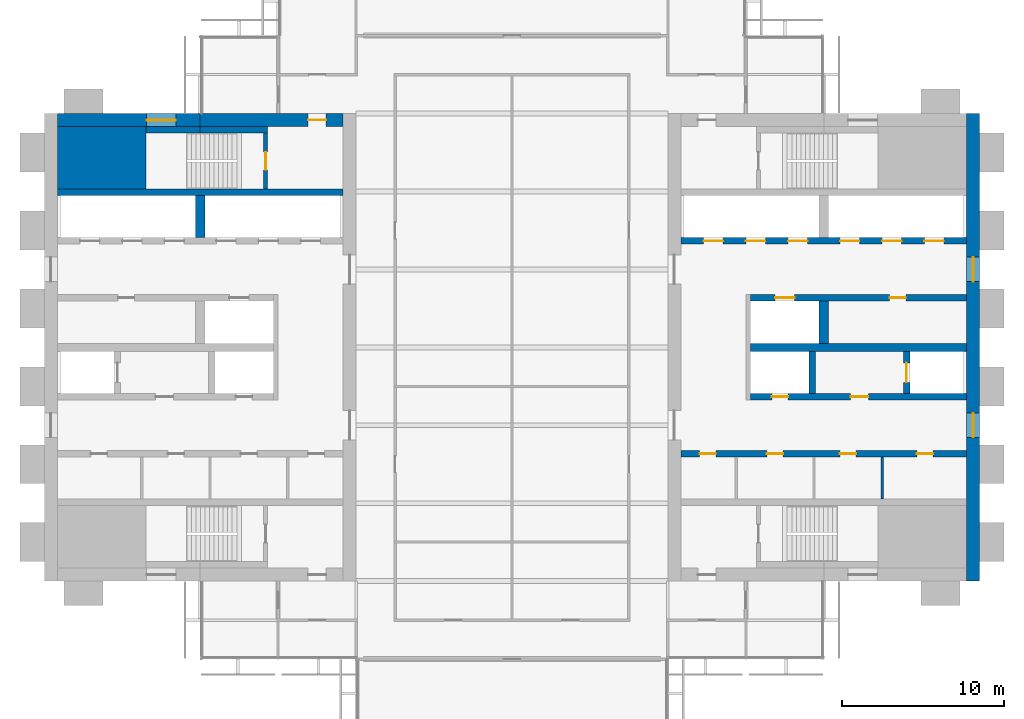
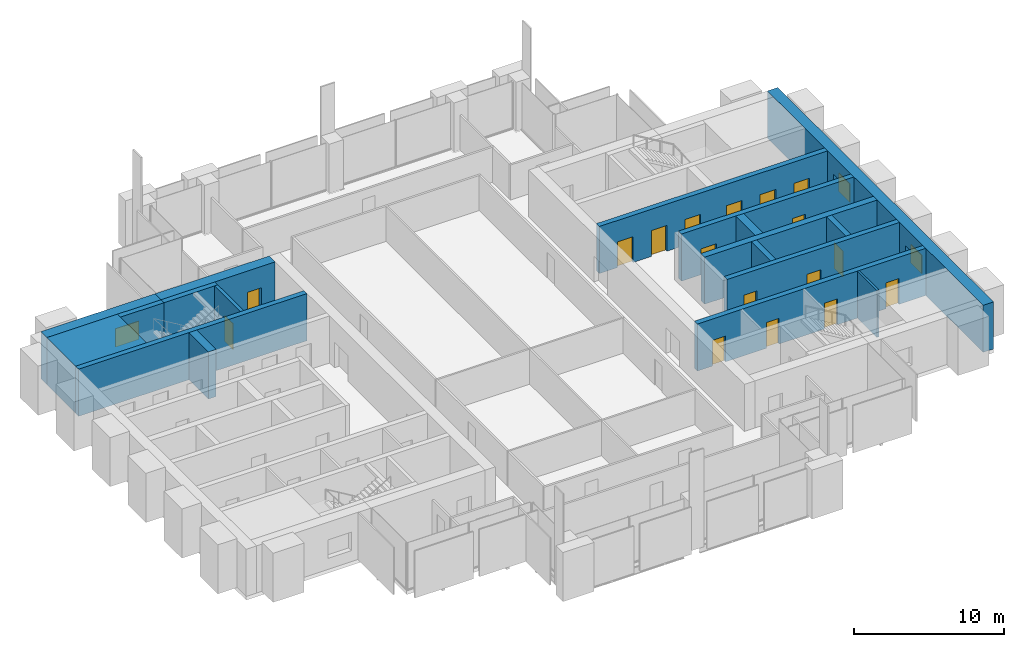
# One storey, part 10 of 13: 18 walls, 17 doors, 3 windows, 20 openings.
"""IFC4 building model written with IfcOpenShell, lengths in metres."""

from ifc_helpers import new_model, si_unit, direction, frame, frame_2d, origin, place, context, subcontext, project, spatial, rectangle, extrude, material, layer, layer_set, type_object, element, fill, save


model = new_model("IFC4")

# Units and contexts
model_context = context("Model", 3, precision=1e-05, world=origin(), true_north=direction((0.0, 1.0)))
body_context = subcontext(model_context, "Body", "Model", "MODEL_VIEW")
ifc_project = project(units=[si_unit("LENGTHUNIT", "METRE"), si_unit("AREAUNIT", "SQUARE_METRE"), si_unit("VOLUMEUNIT", "CUBIC_METRE"), si_unit("PLANEANGLEUNIT", "RADIAN"), si_unit("MASSUNIT", "GRAM", prefix="KILO")], contexts=[model_context])

# Site, building, storey
site_placement = place(None, origin())
site = spatial("IfcSite", under=ifc_project, at=site_placement, CompositionType="ELEMENT")
building_placement = place(site_placement, origin())
building = spatial("IfcBuilding", under=site, at=building_placement, Name="Baori Bourse Tower", CompositionType="ELEMENT")
storey_placement = place(building_placement, frame((0.0, 0.0, 193.199951171875)))
storey = spatial("IfcBuildingStorey", under=building, at=storey_placement, Name="L41", CompositionType="ELEMENT", Elevation=193.199951171875)

# Walls
ifc_material_1 = material(Name="Concrete f'c 50 MPa", Category="concrete")
wall_type_1 = type_object("IfcWallType", Name="Core corner block f'c 50", PredefinedType="SHEAR", material=ifc_material_1)
wall_1_placement = place(storey_placement, frame((0.800048828125, 35.675048828125, 0.0), z_axis=(0.0, 0.0, 1.0), x_axis=(1.0, 0.0, 0.0)))
element("IfcWall", 1, at=wall_1_placement, inside=storey, type_object=wall_type_1, Name="Core wall W24", PredefinedType="SHEAR", context=body_context, shape_type="SweptSolid", body=[
    extrude(rectangle(XDim=5.449951171875, YDim=3.85009765625, at=frame_2d((2.72509765625, 0.0))), origin(), (0.0, 0.0, 1.0), 3.840087890625),
])
ifc_material_2 = material(Name="Blockwork partition", Category="masonry")
ifc_layer_1 = layer(ifc_material_2, 0.14990234375)
ifc_layer_set_1 = layer_set([ifc_layer_1], Name="Core partition 150")
wall_type_2 = type_object("IfcWallType", Name="Core partition 150", PredefinedType="PARTITIONING", material=ifc_layer_set_1)
wall_2_placement = place(storey_placement, frame((51.60009765625, 14.64990234375, 0.0), z_axis=(0.0, 0.0, 1.0), x_axis=(0.0, 1.0, 0.0)))
element("IfcWall", 2, at=wall_2_placement, inside=storey, type_object=wall_type_2, Name="Partition wall E10", PredefinedType="PARTITIONING", context=body_context, shape_type="SweptSolid", body=[
    extrude(rectangle(XDim=2.60009765625, YDim=0.14990234375, at=frame_2d((1.300048828125, 0.0))), origin(), (0.0, 0.0, 1.0), 3.840087890625),
])

# Wall, opening, window
ifc_material_3 = material(Name="Concrete f'c 50 MPa", Category="concrete")
ifc_layer_2 = layer(ifc_material_3, 0.800048828125)
ifc_layer_set_2 = layer_set([ifc_layer_2], Name="Core wall 800 f'c 50")
wall_type_3 = type_object("IfcWallType", Name="Core wall 800 f'c 50", PredefinedType="SHEAR", material=ifc_layer_set_2)
wall_3_placement = place(storey_placement, frame((0.800048828125, 38.0, 0.0), z_axis=(0.0, 0.0, 1.0), x_axis=(1.0, 0.0, 0.0)))
wall_3 = element("IfcWall", 3, at=wall_3_placement, inside=storey, type_object=wall_type_3, Name="Core wall W28", PredefinedType="SHEAR", context=body_context, shape_type="SweptSolid", body=[
    extrude(rectangle(XDim=8.800048828125, YDim=0.800048828125, at=frame_2d((4.39990234375, 0.0))), origin(), (0.0, 0.0, 1.0), 3.840087890625),
])
opening_1_placement = place(wall_3_placement, frame((5.5, 0.0, 0.89990234375)))
opening_1 = element("IfcOpeningElement", 4, at=opening_1_placement, cuts=wall_3, Name="Opening L41-KW104", PredefinedType="OPENING", context=body_context, shape_type="SweptSolid", body=[
    extrude(rectangle(XDim=1.800048828125, YDim=1.5, at=frame_2d((0.89990234375, 0.75))), frame((0.0, 0.409912109375, 0.0), z_axis=(0.0, -1.0, 0.0), x_axis=(1.0, 0.0, 0.0)), (0.0, 0.0, 1.0), 0.820068359375),
])
ifc_material_4 = material(Name="Pale anodised aluminium", Category="aluminium")
window_type_1 = type_object("IfcWindowType", Name="Stair window 1800 x 1500", PartitioningType="SINGLE_PANEL", PredefinedType="WINDOW", material=ifc_material_4)
window_1_placement = place(opening_1_placement, origin())
window_1 = element("IfcWindow", 5, at=window_1_placement, inside=storey, type_object=window_type_1, Name="Stair window W L41 4", OverallHeight=1.5, OverallWidth=1.800048828125, PartitioningType="SINGLE_PANEL", PredefinedType="WINDOW", context=body_context, shape_type="SweptSolid", body=[
    extrude(rectangle(XDim=1.800048828125, YDim=1.5, at=frame_2d((0.89990234375, 0.75))), frame((0.0, 0.030029296875, 0.0), z_axis=(0.0, -1.0, 0.0), x_axis=(1.0, 0.0, 0.0)), (0.0, 0.0, 1.0), 0.06005859375),
])
fill(opening_1, window_1)

# Wall, opening, door
wall_4_placement = place(storey_placement, frame((9.60009765625, 38.0, 0.0), z_axis=(0.0, 0.0, 1.0), x_axis=(1.0, 0.0, 0.0)))
wall_4 = element("IfcWall", 6, at=wall_4_placement, inside=storey, type_object=wall_type_3, Name="Core wall W29", PredefinedType="SHEAR", context=body_context, shape_type="SweptSolid", body=[
    extrude(rectangle(XDim=8.7998046875, YDim=0.800048828125, at=frame_2d((4.39990234375, 0.0))), origin(), (0.0, 0.0, 1.0), 3.840087890625),
])
opening_2_placement = place(wall_4_placement, frame((6.64990234375, 0.0, 0.0)))
opening_2 = element("IfcOpeningElement", 7, at=opening_2_placement, cuts=wall_4, Name="Opening L41-D104", PredefinedType="OPENING", context=body_context, shape_type="SweptSolid", body=[
    extrude(rectangle(XDim=1.10009765625, YDim=2.10009765625, at=frame_2d((0.550048828125, 1.050048828125))), frame((0.0, 0.409912109375, 0.0), z_axis=(0.0, -1.0, 0.0), x_axis=(1.0, 0.0, 0.0)), (0.0, 0.0, 1.0), 0.820068359375),
])
ifc_material_5 = material(Name="Painted steel door", Category="steel")
door_type_1 = type_object("IfcDoorType", Name="Stair door 1100", OperationType="SINGLE_SWING_LEFT", PredefinedType="DOOR", material=ifc_material_5)
door_1_placement = place(opening_2_placement, origin())
door_1 = element("IfcDoor", 8, at=door_1_placement, inside=storey, type_object=door_type_1, Name="Stair vestibule door B W L41", OperationType="SINGLE_SWING_LEFT", OverallHeight=2.10009765625, OverallWidth=1.10009765625, PredefinedType="DOOR", context=body_context, shape_type="SweptSolid", body=[
    extrude(rectangle(XDim=1.10009765625, YDim=2.10009765625, at=frame_2d((0.550048828125, 1.050048828125))), frame((0.0, 0.02490234375, 0.0), z_axis=(0.0, -1.0, 0.0), x_axis=(1.0, 0.0, 0.0)), (0.0, 0.0, 1.0), 0.050048828125),
])
fill(opening_2, door_1)

# Wall, openings, windows
wall_5_placement = place(storey_placement, frame((57.199951171875, 38.39990234375, 0.0), z_axis=(0.0, 0.0, 1.0), x_axis=(0.0, -1.0, 0.0)))
wall_5 = element("IfcWall", 9, at=wall_5_placement, inside=storey, type_object=wall_type_3, Name="Core wall E01", PredefinedType="SHEAR", context=body_context, shape_type="SweptSolid", body=[
    extrude(rectangle(XDim=28.7998046875, YDim=0.800048828125, at=frame_2d((14.39990234375, 0.0))), origin(), (0.0, 0.0, 1.0), 3.840087890625),
])
opening_3_placement = place(wall_5_placement, frame((18.449951171875, 0.0, 0.89990234375)))
opening_3 = element("IfcOpeningElement", 10, at=opening_3_placement, cuts=wall_5, Name="Opening L41-KW201", PredefinedType="OPENING", context=body_context, shape_type="SweptSolid", body=[
    extrude(rectangle(XDim=1.5, YDim=1.5, at=frame_2d((0.75, 0.75))), frame((0.0, 0.409912109375, 0.0), z_axis=(0.0, -1.0, 0.0), x_axis=(1.0, 0.0, 0.0)), (0.0, 0.0, 1.0), 0.820068359375),
])
opening_4_placement = place(wall_5_placement, frame((8.85009765625, 0.0, 0.89990234375)))
opening_4 = element("IfcOpeningElement", 11, at=opening_4_placement, cuts=wall_5, Name="Opening L41-KW202", PredefinedType="OPENING", context=body_context, shape_type="SweptSolid", body=[
    extrude(rectangle(XDim=1.5, YDim=1.5, at=frame_2d((0.75, 0.75))), frame((0.0, 0.409912109375, 0.0), z_axis=(0.0, -1.0, 0.0), x_axis=(1.0, 0.0, 0.0)), (0.0, 0.0, 1.0), 0.820068359375),
])
ifc_material_6 = material(Name="Pale anodised aluminium", Category="aluminium")
window_type_2 = type_object("IfcWindowType", Name="Lobby window 1500 x 1500", PartitioningType="SINGLE_PANEL", PredefinedType="WINDOW", material=ifc_material_6)
window_2_placement = place(opening_3_placement, origin())
window_2 = element("IfcWindow", 12, at=window_2_placement, inside=storey, type_object=window_type_2, Name="Outer wall window E L41 1", OverallHeight=1.5, OverallWidth=1.5, PartitioningType="SINGLE_PANEL", PredefinedType="WINDOW", context=body_context, shape_type="SweptSolid", body=[
    extrude(rectangle(XDim=1.5, YDim=1.5, at=frame_2d((0.75, 0.75))), frame((0.0, 0.030029296875, 0.0), z_axis=(0.0, -1.0, 0.0), x_axis=(1.0, 0.0, 0.0)), (0.0, 0.0, 1.0), 0.06005859375),
])
fill(opening_3, window_2)
window_3_placement = place(opening_4_placement, origin())
window_3 = element("IfcWindow", 13, at=window_3_placement, inside=storey, type_object=window_type_2, Name="Outer wall window E L41 2", OverallHeight=1.5, OverallWidth=1.5, PartitioningType="SINGLE_PANEL", PredefinedType="WINDOW", context=body_context, shape_type="SweptSolid", body=[
    extrude(rectangle(XDim=1.5, YDim=1.5, at=frame_2d((0.75, 0.75))), frame((0.0, 0.030029296875, 0.0), z_axis=(0.0, -1.0, 0.0), x_axis=(1.0, 0.0, 0.0)), (0.0, 0.0, 1.0), 0.06005859375),
])
fill(opening_4, window_3)

# Wall, opening, door
ifc_material_7 = material(Name="Concrete f'c 50 MPa", Category="concrete")
ifc_layer_3 = layer(ifc_material_7, 0.25)
ifc_layer_set_3 = layer_set([ifc_layer_3], Name="Shaft wall 250 f'c 50")
wall_type_4 = type_object("IfcWallType", Name="Shaft wall 250 f'c 50", PredefinedType="SHEAR", material=ifc_layer_set_3)
wall_6_placement = place(storey_placement, frame((13.625, 33.75, 0.0), z_axis=(0.0, 0.0, 1.0), x_axis=(0.0, 1.0, 0.0)))
wall_6 = element("IfcWall", 14, at=wall_6_placement, inside=storey, type_object=wall_type_4, Name="Core wall W25", PredefinedType="SHEAR", context=body_context, shape_type="SweptSolid", body=[
    extrude(rectangle(XDim=3.449951171875, YDim=0.25, at=frame_2d((1.72509765625, 0.0))), origin(), (0.0, 0.0, 1.0), 3.840087890625),
])
opening_5_placement = place(wall_6_placement, frame((1.175048828125, 0.0, 0.0)))
opening_5 = element("IfcOpeningElement", 15, at=opening_5_placement, cuts=wall_6, Name="Opening L41-D103", PredefinedType="OPENING", context=body_context, shape_type="SweptSolid", body=[
    extrude(rectangle(XDim=1.10009765625, YDim=2.10009765625, at=frame_2d((0.550048828125, 1.050048828125))), frame((0.0, 0.135009765625, 0.0), z_axis=(0.0, -1.0, 0.0), x_axis=(1.0, 0.0, 0.0)), (0.0, 0.0, 1.0), 0.27001953125),
])
door_2_placement = place(opening_5_placement, origin())
door_2 = element("IfcDoor", 16, at=door_2_placement, inside=storey, type_object=door_type_1, Name="Stair door B W L41", OperationType="SINGLE_SWING_LEFT", OverallHeight=2.10009765625, OverallWidth=1.10009765625, PredefinedType="DOOR", context=body_context, shape_type="SweptSolid", body=[
    extrude(rectangle(XDim=1.10009765625, YDim=2.10009765625, at=frame_2d((0.550048828125, 1.050048828125))), frame((0.0, 0.02490234375, 0.0), z_axis=(0.0, -1.0, 0.0), x_axis=(1.0, 0.0, 0.0)), (0.0, 0.0, 1.0), 0.050048828125),
])
fill(opening_5, door_2)

# Walls
ifc_material_8 = material(Name="Concrete f'c 50 MPa", Category="concrete")
ifc_layer_4 = layer(ifc_material_8, 0.39990234375)
ifc_layer_set_4 = layer_set([ifc_layer_4], Name="Shaft wall 400 f'c 50")
wall_type_5 = type_object("IfcWallType", Name="Shaft wall 400 f'c 50", PredefinedType="SHEAR", material=ifc_layer_set_4)
wall_7_placement = place(storey_placement, frame((0.800048828125, 33.550048828125, 0.0), z_axis=(0.0, 0.0, 1.0), x_axis=(1.0, 0.0, 0.0)))
element("IfcWall", 17, at=wall_7_placement, inside=storey, type_object=wall_type_5, Name="Core wall W23", PredefinedType="SHEAR", context=body_context, shape_type="SweptSolid", body=[
    extrude(rectangle(XDim=17.599853515625, YDim=0.39990234375, at=frame_2d((8.7998046875, 0.0))), origin(), (0.0, 0.0, 1.0), 3.840087890625),
])
wall_8_placement = place(storey_placement, frame((6.25, 37.39990234375, 0.0), z_axis=(0.0, 0.0, 1.0), x_axis=(1.0, 0.0, 0.0)))
element("IfcWall", 18, at=wall_8_placement, inside=storey, type_object=wall_type_5, Name="Core wall W26", PredefinedType="SHEAR", context=body_context, shape_type="SweptSolid", body=[
    extrude(rectangle(XDim=3.35009765625, YDim=0.39990234375, at=frame_2d((1.675048828125, 0.0))), origin(), (0.0, 0.0, 1.0), 3.840087890625),
])
wall_9_placement = place(storey_placement, frame((9.60009765625, 37.39990234375, 0.0), z_axis=(0.0, 0.0, 1.0), x_axis=(1.0, 0.0, 0.0)))
element("IfcWall", 19, at=wall_9_placement, inside=storey, type_object=wall_type_5, Name="Core wall W27", PredefinedType="SHEAR", context=body_context, shape_type="SweptSolid", body=[
    extrude(rectangle(XDim=4.14990234375, YDim=0.39990234375, at=frame_2d((2.074951171875, 0.0))), origin(), (0.0, 0.0, 1.0), 3.840087890625),
])

# Wall, openings, doors
wall_10_placement = place(storey_placement, frame((39.199951171875, 17.449951171875, 0.0), z_axis=(0.0, 0.0, 1.0), x_axis=(1.0, 0.0, 0.0)))
wall_10 = element("IfcWall", 20, at=wall_10_placement, inside=storey, type_object=wall_type_5, Name="Core wall E13", PredefinedType="SHEAR", context=body_context, shape_type="SweptSolid", body=[
    extrude(rectangle(XDim=17.60009765625, YDim=0.39990234375, at=frame_2d((8.800048828125, 0.0))), origin(), (0.0, 0.0, 1.0), 3.840087890625),
])
opening_6_placement = place(wall_10_placement, frame((14.53759765625, 0.0, 0.0)))
opening_6 = element("IfcOpeningElement", 21, at=opening_6_placement, cuts=wall_10, Name="Opening L41-D209", PredefinedType="OPENING", context=body_context, shape_type="SweptSolid", body=[
    extrude(rectangle(XDim=1.0, YDim=2.10009765625, at=frame_2d((0.5, 1.050048828125))), frame((0.0, 0.2099609375, 0.0), z_axis=(0.0, -1.0, 0.0), x_axis=(1.0, 0.0, 0.0)), (0.0, 0.0, 1.0), 0.419921875),
])
opening_7_placement = place(wall_10_placement, frame((9.800048828125, 0.0, 0.0)))
opening_7 = element("IfcOpeningElement", 22, at=opening_7_placement, cuts=wall_10, Name="Opening L41-D210", PredefinedType="OPENING", context=body_context, shape_type="SweptSolid", body=[
    extrude(rectangle(XDim=1.0, YDim=2.10009765625, at=frame_2d((0.5, 1.050048828125))), frame((0.0, 0.2099609375, 0.0), z_axis=(0.0, -1.0, 0.0), x_axis=(1.0, 0.0, 0.0)), (0.0, 0.0, 1.0), 0.419921875),
])
opening_8_placement = place(wall_10_placement, frame((5.300048828125, 0.0, 0.0)))
opening_8 = element("IfcOpeningElement", 23, at=opening_8_placement, cuts=wall_10, Name="Opening L41-D211", PredefinedType="OPENING", context=body_context, shape_type="SweptSolid", body=[
    extrude(rectangle(XDim=1.0, YDim=2.10009765625, at=frame_2d((0.5, 1.050048828125))), frame((0.0, 0.2099609375, 0.0), z_axis=(0.0, -1.0, 0.0), x_axis=(1.0, 0.0, 0.0)), (0.0, 0.0, 1.0), 0.419921875),
])
opening_9_placement = place(wall_10_placement, frame((1.16259765625, 0.0, 0.0)))
opening_9 = element("IfcOpeningElement", 24, at=opening_9_placement, cuts=wall_10, Name="Opening L41-D212", PredefinedType="OPENING", context=body_context, shape_type="SweptSolid", body=[
    extrude(rectangle(XDim=1.0, YDim=2.10009765625, at=frame_2d((0.5, 1.050048828125))), frame((0.0, 0.2099609375, 0.0), z_axis=(0.0, -1.0, 0.0), x_axis=(1.0, 0.0, 0.0)), (0.0, 0.0, 1.0), 0.419921875),
])
ifc_material_9 = material(Name="Painted steel door", Category="steel")
door_type_2 = type_object("IfcDoorType", Name="Core door 1000", OperationType="SINGLE_SWING_LEFT", PredefinedType="DOOR", material=ifc_material_9)
door_3_placement = place(opening_6_placement, origin())
door_3 = element("IfcDoor", 25, at=door_3_placement, inside=storey, type_object=door_type_2, Name="Men'S Wc door E L41", OperationType="SINGLE_SWING_LEFT", OverallHeight=2.10009765625, OverallWidth=1.0, PredefinedType="DOOR", context=body_context, shape_type="SweptSolid", body=[
    extrude(rectangle(XDim=1.0, YDim=2.10009765625, at=frame_2d((0.5, 1.050048828125))), frame((0.0, 0.02490234375, 0.0), z_axis=(0.0, -1.0, 0.0), x_axis=(1.0, 0.0, 0.0)), (0.0, 0.0, 1.0), 0.050048828125),
])
fill(opening_6, door_3)
door_4_placement = place(opening_7_placement, origin())
door_4 = element("IfcDoor", 26, at=door_4_placement, inside=storey, type_object=door_type_2, Name="Accessible Wc door E L41", OperationType="SINGLE_SWING_LEFT", OverallHeight=2.10009765625, OverallWidth=1.0, PredefinedType="DOOR", context=body_context, shape_type="SweptSolid", body=[
    extrude(rectangle(XDim=1.0, YDim=2.10009765625, at=frame_2d((0.5, 1.050048828125))), frame((0.0, 0.02490234375, 0.0), z_axis=(0.0, -1.0, 0.0), x_axis=(1.0, 0.0, 0.0)), (0.0, 0.0, 1.0), 0.050048828125),
])
fill(opening_7, door_4)
door_5_placement = place(opening_8_placement, origin())
door_5 = element("IfcDoor", 27, at=door_5_placement, inside=storey, type_object=door_type_2, Name="Women'S Wc door E L41", OperationType="SINGLE_SWING_LEFT", OverallHeight=2.10009765625, OverallWidth=1.0, PredefinedType="DOOR", context=body_context, shape_type="SweptSolid", body=[
    extrude(rectangle(XDim=1.0, YDim=2.10009765625, at=frame_2d((0.5, 1.050048828125))), frame((0.0, 0.02490234375, 0.0), z_axis=(0.0, -1.0, 0.0), x_axis=(1.0, 0.0, 0.0)), (0.0, 0.0, 1.0), 0.050048828125),
])
fill(opening_8, door_5)
ifc_material_10 = material(Name="Painted steel door", Category="steel")
door_type_3 = type_object("IfcDoorType", Name="Plant room door 1000", OperationType="SINGLE_SWING_LEFT", PredefinedType="DOOR", material=ifc_material_10)
door_6_placement = place(opening_9_placement, origin())
door_6 = element("IfcDoor", 28, at=door_6_placement, inside=storey, type_object=door_type_3, Name="Plumbing Equipment Room door E L41", OperationType="SINGLE_SWING_LEFT", OverallHeight=2.10009765625, OverallWidth=1.0, PredefinedType="DOOR", context=body_context, shape_type="SweptSolid", body=[
    extrude(rectangle(XDim=1.0, YDim=2.10009765625, at=frame_2d((0.5, 1.050048828125))), frame((0.0, 0.02490234375, 0.0), z_axis=(0.0, -1.0, 0.0), x_axis=(1.0, 0.0, 0.0)), (0.0, 0.0, 1.0), 0.050048828125),
])
fill(opening_9, door_6)

wall_11_placement = place(storey_placement, frame((43.5, 20.949951171875, 0.0), z_axis=(0.0, 0.0, 1.0), x_axis=(1.0, 0.0, 0.0)))
wall_11 = element("IfcWall", 29, at=wall_11_placement, inside=storey, type_object=wall_type_5, Name="Core wall E14", PredefinedType="SHEAR", context=body_context, shape_type="SweptSolid", body=[
    extrude(rectangle(XDim=13.300048828125, YDim=0.39990234375, at=frame_2d((6.64990234375, 0.0))), origin(), (0.0, 0.0, 1.0), 3.840087890625),
])
opening_10_placement = place(wall_11_placement, frame((6.14990234375, 0.0, 0.0)))
opening_10 = element("IfcOpeningElement", 30, at=opening_10_placement, cuts=wall_11, Name="Opening L41-D205", PredefinedType="OPENING", context=body_context, shape_type="SweptSolid", body=[
    extrude(rectangle(XDim=1.10009765625, YDim=2.10009765625, at=frame_2d((0.550048828125, 1.050048828125))), frame((0.0, 0.2099609375, 0.0), z_axis=(0.0, -1.0, 0.0), x_axis=(1.0, 0.0, 0.0)), (0.0, 0.0, 1.0), 0.419921875),
])
opening_11_placement = place(wall_11_placement, frame((1.300048828125, 0.0, 0.0)))
opening_11 = element("IfcOpeningElement", 31, at=opening_11_placement, cuts=wall_11, Name="Opening L41-D206", PredefinedType="OPENING", context=body_context, shape_type="SweptSolid", body=[
    extrude(rectangle(XDim=1.0, YDim=2.10009765625, at=frame_2d((0.5, 1.050048828125))), frame((0.0, 0.2099609375, 0.0), z_axis=(0.0, -1.0, 0.0), x_axis=(1.0, 0.0, 0.0)), (0.0, 0.0, 1.0), 0.419921875),
])
ifc_material_11 = material(Name="Painted steel door", Category="steel")
door_type_4 = type_object("IfcDoorType", Name="Lobby door 1100", OperationType="SINGLE_SWING_LEFT", PredefinedType="DOOR", material=ifc_material_11)
door_7_placement = place(opening_10_placement, origin())
door_7 = element("IfcDoor", 32, at=door_7_placement, inside=storey, type_object=door_type_4, Name="Firefighting lobby door E L41", OperationType="SINGLE_SWING_LEFT", OverallHeight=2.10009765625, OverallWidth=1.10009765625, PredefinedType="DOOR", context=body_context, shape_type="SweptSolid", body=[
    extrude(rectangle(XDim=1.10009765625, YDim=2.10009765625, at=frame_2d((0.550048828125, 1.050048828125))), frame((0.0, 0.02490234375, 0.0), z_axis=(0.0, -1.0, 0.0), x_axis=(1.0, 0.0, 0.0)), (0.0, 0.0, 1.0), 0.050048828125),
])
fill(opening_10, door_7)
ifc_material_12 = material(Name="Painted steel door", Category="steel")
door_type_5 = type_object("IfcDoorType", Name="Shaft door 1000", OperationType="SINGLE_SWING_LEFT", PredefinedType="DOOR", material=ifc_material_12)
door_8_placement = place(opening_11_placement, origin())
door_8 = element("IfcDoor", 33, at=door_8_placement, inside=storey, type_object=door_type_5, Name="Riser room door E L41", OperationType="SINGLE_SWING_LEFT", OverallHeight=2.10009765625, OverallWidth=1.0, PredefinedType="DOOR", context=body_context, shape_type="SweptSolid", body=[
    extrude(rectangle(XDim=1.0, YDim=2.10009765625, at=frame_2d((0.5, 1.050048828125))), frame((0.0, 0.02490234375, 0.0), z_axis=(0.0, -1.0, 0.0), x_axis=(1.0, 0.0, 0.0)), (0.0, 0.0, 1.0), 0.050048828125),
])
fill(opening_11, door_8)

# Wall, opening, door
wall_12_placement = place(storey_placement, frame((53.10009765625, 21.14990234375, 0.0), z_axis=(0.0, 0.0, 1.0), x_axis=(0.0, 1.0, 0.0)))
wall_12 = element("IfcWall", 34, at=wall_12_placement, inside=storey, type_object=wall_type_5, Name="Core wall E16", PredefinedType="SHEAR", context=body_context, shape_type="SweptSolid", body=[
    extrude(rectangle(XDim=2.60009765625, YDim=0.39990234375, at=frame_2d((1.300048828125, 0.0))), origin(), (0.0, 0.0, 1.0), 3.840087890625),
])
opening_12_placement = place(wall_12_placement, frame((0.699951171875, 0.0, 0.0)))
opening_12 = element("IfcOpeningElement", 35, at=opening_12_placement, cuts=wall_12, Name="Opening L41-D221", PredefinedType="OPENING", context=body_context, shape_type="SweptSolid", body=[
    extrude(rectangle(XDim=1.199951171875, YDim=2.10009765625, at=frame_2d((0.60009765625, 1.050048828125))), frame((0.0, 0.2099609375, 0.0), z_axis=(0.0, -1.0, 0.0), x_axis=(1.0, 0.0, 0.0)), (0.0, 0.0, 1.0), 0.419921875),
])
ifc_material_13 = material(Name="Stainless steel door", Category="steel")
door_type_6 = type_object("IfcDoorType", Name="Lift landing door", OperationType="DOUBLE_DOOR_SLIDING", PredefinedType="DOOR", material=ifc_material_13)
door_9_placement = place(opening_12_placement, origin())
door_9 = element("IfcDoor", 36, at=door_9_placement, inside=storey, type_object=door_type_6, Name="Lift landing door FF2 E L41", OperationType="DOUBLE_DOOR_SLIDING", OverallHeight=2.10009765625, OverallWidth=1.199951171875, PredefinedType="DOOR", context=body_context, shape_type="SweptSolid", body=[
    extrude(rectangle(XDim=1.199951171875, YDim=2.10009765625, at=frame_2d((0.60009765625, 1.050048828125))), frame((0.0, 0.02490234375, 0.0), z_axis=(0.0, -1.0, 0.0), x_axis=(1.0, 0.0, 0.0)), (0.0, 0.0, 1.0), 0.050048828125),
])
fill(opening_12, door_9)

# Wall
wall_13_placement = place(storey_placement, frame((47.300048828125, 21.14990234375, 0.0), z_axis=(0.0, 0.0, 1.0), x_axis=(0.0, 1.0, 0.0)))
element("IfcWall", 37, at=wall_13_placement, inside=storey, type_object=wall_type_5, Name="Core wall E17", PredefinedType="SHEAR", context=body_context, shape_type="SweptSolid", body=[
    extrude(rectangle(XDim=2.60009765625, YDim=0.39990234375, at=frame_2d((1.300048828125, 0.0))), origin(), (0.0, 0.0, 1.0), 3.840087890625),
])

# Wall, openings, doors
wall_14_placement = place(storey_placement, frame((43.5, 27.050048828125, 0.0), z_axis=(0.0, 0.0, 1.0), x_axis=(1.0, 0.0, 0.0)))
wall_14 = element("IfcWall", 38, at=wall_14_placement, inside=storey, type_object=wall_type_5, Name="Core wall E20", PredefinedType="SHEAR", context=body_context, shape_type="SweptSolid", body=[
    extrude(rectangle(XDim=13.300048828125, YDim=0.39990234375, at=frame_2d((6.64990234375, 0.0))), origin(), (0.0, 0.0, 1.0), 3.840087890625),
])
opening_13_placement = place(wall_14_placement, frame((8.550048828125, 0.0, 0.0)))
opening_13 = element("IfcOpeningElement", 39, at=opening_13_placement, cuts=wall_14, Name="Opening L41-D213", PredefinedType="OPENING", context=body_context, shape_type="SweptSolid", body=[
    extrude(rectangle(XDim=1.0, YDim=2.10009765625, at=frame_2d((0.5, 1.050048828125))), frame((0.0, 0.2099609375, 0.0), z_axis=(0.0, -1.0, 0.0), x_axis=(1.0, 0.0, 0.0)), (0.0, 0.0, 1.0), 0.419921875),
])
opening_14_placement = place(wall_14_placement, frame((1.5, 0.0, 0.0)))
opening_14 = element("IfcOpeningElement", 40, at=opening_14_placement, cuts=wall_14, Name="Opening L41-D220", PredefinedType="OPENING", context=body_context, shape_type="SweptSolid", body=[
    extrude(rectangle(XDim=1.199951171875, YDim=2.10009765625, at=frame_2d((0.60009765625, 1.050048828125))), frame((0.0, 0.2099609375, 0.0), z_axis=(0.0, -1.0, 0.0), x_axis=(1.0, 0.0, 0.0)), (0.0, 0.0, 1.0), 0.419921875),
])
door_10_placement = place(opening_13_placement, origin())
door_10 = element("IfcDoor", 41, at=door_10_placement, inside=storey, type_object=door_type_2, Name="Store Room door E L41", OperationType="SINGLE_SWING_LEFT", OverallHeight=2.10009765625, OverallWidth=1.0, PredefinedType="DOOR", context=body_context, shape_type="SweptSolid", body=[
    extrude(rectangle(XDim=1.0, YDim=2.10009765625, at=frame_2d((0.5, 1.050048828125))), frame((0.0, 0.02490234375, 0.0), z_axis=(0.0, -1.0, 0.0), x_axis=(1.0, 0.0, 0.0)), (0.0, 0.0, 1.0), 0.050048828125),
])
fill(opening_13, door_10)
door_11_placement = place(opening_14_placement, origin())
door_11 = element("IfcDoor", 42, at=door_11_placement, inside=storey, type_object=door_type_6, Name="Lift landing door SV1 E L41", OperationType="DOUBLE_DOOR_SLIDING", OverallHeight=2.10009765625, OverallWidth=1.199951171875, PredefinedType="DOOR", context=body_context, shape_type="SweptSolid", body=[
    extrude(rectangle(XDim=1.199951171875, YDim=2.10009765625, at=frame_2d((0.60009765625, 1.050048828125))), frame((0.0, 0.02490234375, 0.0), z_axis=(0.0, -1.0, 0.0), x_axis=(1.0, 0.0, 0.0)), (0.0, 0.0, 1.0), 0.050048828125),
])
fill(opening_14, door_11)

wall_15_placement = place(storey_placement, frame((39.199951171875, 30.550048828125, 0.0), z_axis=(0.0, 0.0, 1.0), x_axis=(1.0, 0.0, 0.0)))
wall_15 = element("IfcWall", 43, at=wall_15_placement, inside=storey, type_object=wall_type_5, Name="Core wall E21", PredefinedType="SHEAR", context=body_context, shape_type="SweptSolid", body=[
    extrude(rectangle(XDim=17.60009765625, YDim=0.39990234375, at=frame_2d((8.800048828125, 0.0))), origin(), (0.0, 0.0, 1.0), 3.840087890625),
])
opening_15_placement = place(wall_15_placement, frame((15.0, 0.0, 0.0)))
opening_15 = element("IfcOpeningElement", 44, at=opening_15_placement, cuts=wall_15, Name="Opening L41-D214", PredefinedType="OPENING", context=body_context, shape_type="SweptSolid", body=[
    extrude(rectangle(XDim=1.199951171875, YDim=2.10009765625, at=frame_2d((0.60009765625, 1.050048828125))), frame((0.0, 0.2099609375, 0.0), z_axis=(0.0, -1.0, 0.0), x_axis=(1.0, 0.0, 0.0)), (0.0, 0.0, 1.0), 0.419921875),
])
opening_16_placement = place(wall_15_placement, frame((12.39990234375, 0.0, 0.0)))
opening_16 = element("IfcOpeningElement", 45, at=opening_16_placement, cuts=wall_15, Name="Opening L41-D215", PredefinedType="OPENING", context=body_context, shape_type="SweptSolid", body=[
    extrude(rectangle(XDim=1.199951171875, YDim=2.10009765625, at=frame_2d((0.60009765625, 1.050048828125))), frame((0.0, 0.2099609375, 0.0), z_axis=(0.0, -1.0, 0.0), x_axis=(1.0, 0.0, 0.0)), (0.0, 0.0, 1.0), 0.419921875),
])
opening_17_placement = place(wall_15_placement, frame((9.800048828125, 0.0, 0.0)))
opening_17 = element("IfcOpeningElement", 46, at=opening_17_placement, cuts=wall_15, Name="Opening L41-D216", PredefinedType="OPENING", context=body_context, shape_type="SweptSolid", body=[
    extrude(rectangle(XDim=1.199951171875, YDim=2.10009765625, at=frame_2d((0.60009765625, 1.050048828125))), frame((0.0, 0.2099609375, 0.0), z_axis=(0.0, -1.0, 0.0), x_axis=(1.0, 0.0, 0.0)), (0.0, 0.0, 1.0), 0.419921875),
])
opening_18_placement = place(wall_15_placement, frame((6.60009765625, 0.0, 0.0)))
opening_18 = element("IfcOpeningElement", 47, at=opening_18_placement, cuts=wall_15, Name="Opening L41-D217", PredefinedType="OPENING", context=body_context, shape_type="SweptSolid", body=[
    extrude(rectangle(XDim=1.199951171875, YDim=2.10009765625, at=frame_2d((0.60009765625, 1.050048828125))), frame((0.0, 0.2099609375, 0.0), z_axis=(0.0, -1.0, 0.0), x_axis=(1.0, 0.0, 0.0)), (0.0, 0.0, 1.0), 0.419921875),
])
opening_19_placement = place(wall_15_placement, frame((4.0, 0.0, 0.0)))
opening_19 = element("IfcOpeningElement", 48, at=opening_19_placement, cuts=wall_15, Name="Opening L41-D218", PredefinedType="OPENING", context=body_context, shape_type="SweptSolid", body=[
    extrude(rectangle(XDim=1.199951171875, YDim=2.10009765625, at=frame_2d((0.60009765625, 1.050048828125))), frame((0.0, 0.2099609375, 0.0), z_axis=(0.0, -1.0, 0.0), x_axis=(1.0, 0.0, 0.0)), (0.0, 0.0, 1.0), 0.419921875),
])
opening_20_placement = place(wall_15_placement, frame((1.39990234375, 0.0, 0.0)))
opening_20 = element("IfcOpeningElement", 49, at=opening_20_placement, cuts=wall_15, Name="Opening L41-D219", PredefinedType="OPENING", context=body_context, shape_type="SweptSolid", body=[
    extrude(rectangle(XDim=1.199951171875, YDim=2.10009765625, at=frame_2d((0.60009765625, 1.050048828125))), frame((0.0, 0.2099609375, 0.0), z_axis=(0.0, -1.0, 0.0), x_axis=(1.0, 0.0, 0.0)), (0.0, 0.0, 1.0), 0.419921875),
])
door_12_placement = place(opening_15_placement, origin())
door_12 = element("IfcDoor", 50, at=door_12_placement, inside=storey, type_object=door_type_6, Name="Lift landing door HR1 E L41", OperationType="DOUBLE_DOOR_SLIDING", OverallHeight=2.10009765625, OverallWidth=1.199951171875, PredefinedType="DOOR", context=body_context, shape_type="SweptSolid", body=[
    extrude(rectangle(XDim=1.199951171875, YDim=2.10009765625, at=frame_2d((0.60009765625, 1.050048828125))), frame((0.0, 0.02490234375, 0.0), z_axis=(0.0, -1.0, 0.0), x_axis=(1.0, 0.0, 0.0)), (0.0, 0.0, 1.0), 0.050048828125),
])
fill(opening_15, door_12)
door_13_placement = place(opening_16_placement, origin())
door_13 = element("IfcDoor", 51, at=door_13_placement, inside=storey, type_object=door_type_6, Name="Lift landing door HR2 E L41", OperationType="DOUBLE_DOOR_SLIDING", OverallHeight=2.10009765625, OverallWidth=1.199951171875, PredefinedType="DOOR", context=body_context, shape_type="SweptSolid", body=[
    extrude(rectangle(XDim=1.199951171875, YDim=2.10009765625, at=frame_2d((0.60009765625, 1.050048828125))), frame((0.0, 0.02490234375, 0.0), z_axis=(0.0, -1.0, 0.0), x_axis=(1.0, 0.0, 0.0)), (0.0, 0.0, 1.0), 0.050048828125),
])
fill(opening_16, door_13)
door_14_placement = place(opening_17_placement, origin())
door_14 = element("IfcDoor", 52, at=door_14_placement, inside=storey, type_object=door_type_6, Name="Lift landing door HR3 E L41", OperationType="DOUBLE_DOOR_SLIDING", OverallHeight=2.10009765625, OverallWidth=1.199951171875, PredefinedType="DOOR", context=body_context, shape_type="SweptSolid", body=[
    extrude(rectangle(XDim=1.199951171875, YDim=2.10009765625, at=frame_2d((0.60009765625, 1.050048828125))), frame((0.0, 0.02490234375, 0.0), z_axis=(0.0, -1.0, 0.0), x_axis=(1.0, 0.0, 0.0)), (0.0, 0.0, 1.0), 0.050048828125),
])
fill(opening_17, door_14)
door_15_placement = place(opening_18_placement, origin())
door_15 = element("IfcDoor", 53, at=door_15_placement, inside=storey, type_object=door_type_6, Name="Lift landing door HR4 E L41", OperationType="DOUBLE_DOOR_SLIDING", OverallHeight=2.10009765625, OverallWidth=1.199951171875, PredefinedType="DOOR", context=body_context, shape_type="SweptSolid", body=[
    extrude(rectangle(XDim=1.199951171875, YDim=2.10009765625, at=frame_2d((0.60009765625, 1.050048828125))), frame((0.0, 0.02490234375, 0.0), z_axis=(0.0, -1.0, 0.0), x_axis=(1.0, 0.0, 0.0)), (0.0, 0.0, 1.0), 0.050048828125),
])
fill(opening_18, door_15)
door_16_placement = place(opening_19_placement, origin())
door_16 = element("IfcDoor", 54, at=door_16_placement, inside=storey, type_object=door_type_6, Name="Lift landing door HR5 E L41", OperationType="DOUBLE_DOOR_SLIDING", OverallHeight=2.10009765625, OverallWidth=1.199951171875, PredefinedType="DOOR", context=body_context, shape_type="SweptSolid", body=[
    extrude(rectangle(XDim=1.199951171875, YDim=2.10009765625, at=frame_2d((0.60009765625, 1.050048828125))), frame((0.0, 0.02490234375, 0.0), z_axis=(0.0, -1.0, 0.0), x_axis=(1.0, 0.0, 0.0)), (0.0, 0.0, 1.0), 0.050048828125),
])
fill(opening_19, door_16)
door_17_placement = place(opening_20_placement, origin())
door_17 = element("IfcDoor", 55, at=door_17_placement, inside=storey, type_object=door_type_6, Name="Lift landing door HR6 E L41", OperationType="DOUBLE_DOOR_SLIDING", OverallHeight=2.10009765625, OverallWidth=1.199951171875, PredefinedType="DOOR", context=body_context, shape_type="SweptSolid", body=[
    extrude(rectangle(XDim=1.199951171875, YDim=2.10009765625, at=frame_2d((0.60009765625, 1.050048828125))), frame((0.0, 0.02490234375, 0.0), z_axis=(0.0, -1.0, 0.0), x_axis=(1.0, 0.0, 0.0)), (0.0, 0.0, 1.0), 0.050048828125),
])
fill(opening_20, door_17)

# Walls
ifc_material_14 = material(Name="Concrete f'c 50 MPa", Category="concrete")
ifc_layer_5 = layer(ifc_material_14, 0.5)
ifc_layer_set_5 = layer_set([ifc_layer_5], Name="Shaft wall 500 f'c 50")
wall_type_6 = type_object("IfcWallType", Name="Shaft wall 500 f'c 50", PredefinedType="SHEAR", material=ifc_layer_set_5)
wall_16_placement = place(storey_placement, frame((43.5, 24.0, 0.0), z_axis=(0.0, 0.0, 1.0), x_axis=(1.0, 0.0, 0.0)))
element("IfcWall", 56, at=wall_16_placement, inside=storey, type_object=wall_type_6, Name="Core wall E18", PredefinedType="SHEAR", context=body_context, shape_type="SweptSolid", body=[
    extrude(rectangle(XDim=13.300048828125, YDim=0.5, at=frame_2d((6.64990234375, 0.0))), origin(), (0.0, 0.0, 1.0), 3.840087890625),
])
ifc_material_15 = material(Name="Concrete f'c 50 MPa", Category="concrete")
ifc_layer_6 = layer(ifc_material_15, 0.60009765625)
ifc_layer_set_6 = layer_set([ifc_layer_6], Name="Shaft wall 600 f'c 50")
wall_type_7 = type_object("IfcWallType", Name="Shaft wall 600 f'c 50", PredefinedType="SHEAR", material=ifc_layer_set_6)
for number, where, z_axis, x_axis, name in (
    (57, (9.60009765625, 30.75, 0.0), (0.0, 0.0, 1.0), (0.0, 1.0, 0.0), "Core wall W22"),
    (58, (48.0, 24.25, 0.0), (0.0, 0.0, 1.0), (0.0, 1.0, 0.0), "Core wall E19"),
):
    element("IfcWall", number, at=place(storey_placement, frame(where, z_axis=z_axis, x_axis=x_axis)), inside=storey, type_object=wall_type_7, Name=name, PredefinedType="SHEAR", context=body_context, shape_type="SweptSolid", body=[
        extrude(rectangle(XDim=2.60009765625, YDim=0.60009765625, at=frame_2d((1.300048828125, 0.0))), origin(), (0.0, 0.0, 1.0), 3.840087890625),
    ])

save(model, "model.ifc")
